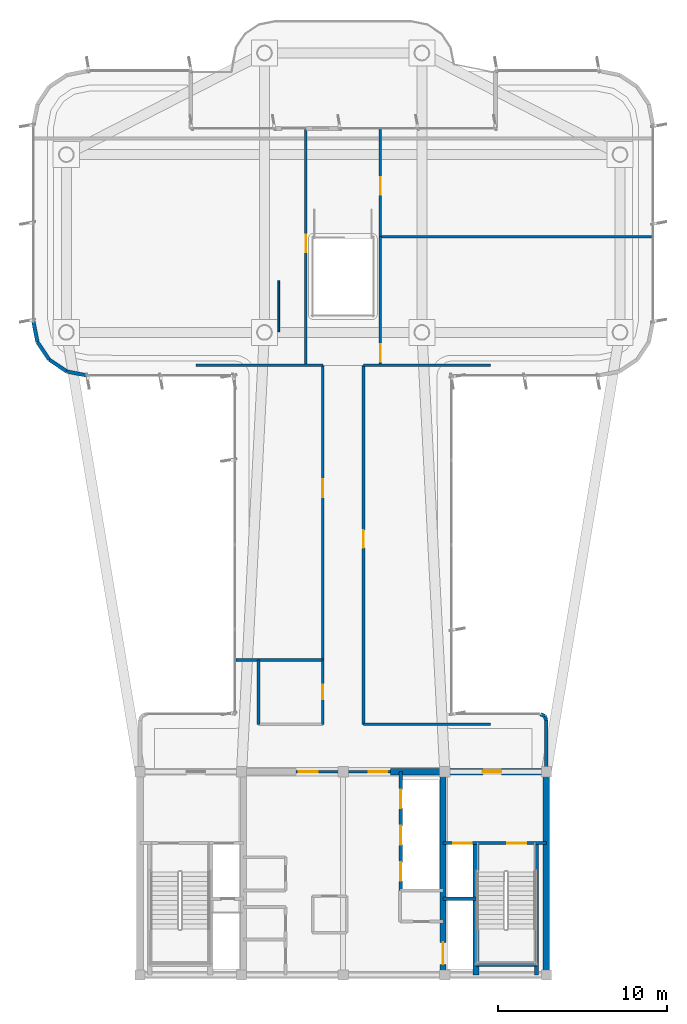
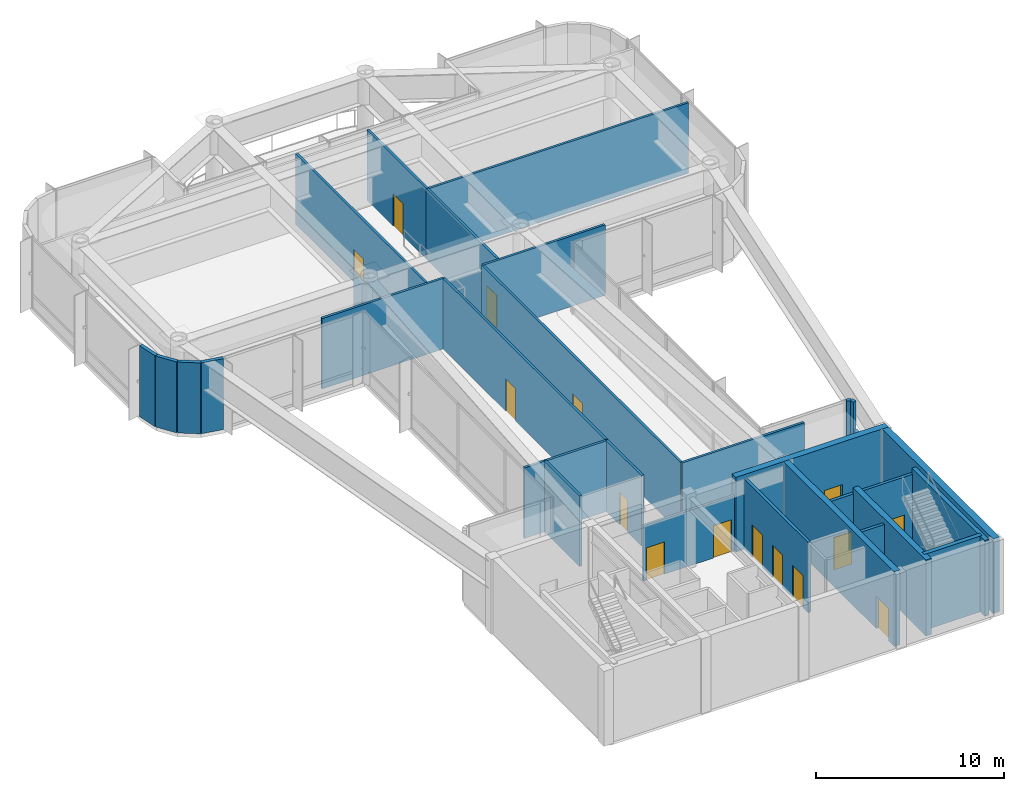
# One storey, part 10 of 13: 30 walls, 15 doors, 15 openings.
"""IFC4 building model written with IfcOpenShell, lengths in metres."""

from ifc_helpers import new_model, si_unit, direction, frame, frame_2d, origin, origin_2d, place, context, subcontext, project, spatial, rectangle, extrude, source, transform, mapped, material, layer, layer_set, type_object, element, fill, save


model = new_model("IFC4")

# Units and contexts
model_context = context("Model", 3, precision=1e-05, world=origin(), true_north=direction((0.0, 1.0)))
body_context = subcontext(model_context, "Body", "Model", "MODEL_VIEW")
ifc_project = project(units=[si_unit("LENGTHUNIT", "METRE"), si_unit("AREAUNIT", "SQUARE_METRE"), si_unit("VOLUMEUNIT", "CUBIC_METRE"), si_unit("PLANEANGLEUNIT", "RADIAN"), si_unit("MASSUNIT", "GRAM", prefix="KILO")], contexts=[model_context])

# Site, building, storey
site_placement = place(None, origin())
site = spatial("IfcSite", under=ifc_project, at=site_placement, CompositionType="ELEMENT")
building_placement = place(site_placement, origin())
building = spatial("IfcBuilding", under=site, at=building_placement, Name="Brelvock Crest Care Tower", CompositionType="ELEMENT")
storey_placement = place(building_placement, frame((0.0, 0.0, 291.06005859375)))
storey = spatial("IfcBuildingStorey", under=building, at=storey_placement, Name="L74", CompositionType="ELEMENT", Elevation=291.06005859375)

# Wall
ifc_material_1 = material(Name="Concrete S65 (65 MPa)", Category="concrete")
ifc_layer_1 = layer(ifc_material_1, 0.39990234375, Name="WL-CS4")
ifc_layer_set_1 = layer_set([ifc_layer_1], Name="Concrete S65 (65 MPa)")
wall_type_1 = type_object("IfcWallType", Name="WL-CS4", PredefinedType="SHEAR", material=ifc_layer_set_1)
wall_1_placement = place(storey_placement, frame((48.0, 18.0, 0.0), z_axis=(0.0, 0.0, 1.0), x_axis=(0.0, -1.0, 0.0)))
element("IfcWall", 1, at=wall_1_placement, inside=storey, type_object=wall_type_1, Name="L74 Core East Shear Wall", PredefinedType="SHEAR", context=body_context, shape_type="SweptSolid", body=[
    extrude(rectangle(XDim=12.0, YDim=0.39990234375, at=frame_2d((6.0, 0.0))), origin(), (0.0, 0.0, 1.0), 4.85986328125),
])

# Wall, opening, door
wall_2_placement = place(storey_placement, frame((38.800048828125, 18.0, 0.0), z_axis=(0.0, 0.0, 1.0), x_axis=(1.0, 0.0, 0.0)))
wall_2 = element("IfcWall", 2, at=wall_2_placement, inside=storey, type_object=wall_type_1, Name="L74 Core North-East Shear Wall", PredefinedType="SHEAR", context=body_context, shape_type="SweptSolid", body=[
    extrude(rectangle(XDim=9.39990234375, YDim=0.39990234375, at=frame_2d((4.699951171875, 0.0))), origin(), (0.0, 0.0, 1.0), 4.85986328125),
])
opening_1_placement = place(wall_2_placement, frame((5.449951171875, 0.0, 0.0)))
opening_1 = element("IfcOpeningElement", 3, at=opening_1_placement, cuts=wall_2, Name="Opening FD-1", PredefinedType="OPENING", context=body_context, shape_type="SweptSolid", body=[
    extrude(rectangle(XDim=1.10009765625, YDim=2.10009765625, at=origin_2d()), frame((0.550048828125, 0.2099609375, 1.050048828125), z_axis=(0.0, -1.0, 0.0), x_axis=(1.0, 0.0, 0.0)), (0.0, 0.0, 1.0), 0.419921875),
])
ifc_material_2 = material(Name="Steel Grade 350", Category="steel")
door_type_1 = type_object("IfcDoorType", Name="DR-FFL1", OperationType="NOTDEFINED", PredefinedType="DOOR", material=ifc_material_2)
shared_shape_1 = source(origin(), body_context, "Body", "SweptSolid", [
    extrude(rectangle(XDim=1.10009765625, YDim=2.10009765625, at=origin_2d()), frame((0.550048828125, 0.02490234375, 1.050048828125), z_axis=(0.0, -1.0, 0.0), x_axis=(1.0, 0.0, 0.0)), (0.0, 0.0, 1.0), 0.050048828125),
])
door_1_placement = place(opening_1_placement, origin())
door_1 = element("IfcDoor", 4, at=door_1_placement, inside=storey, type_object=door_type_1, Name="L74 Firefighting Lobby FFL-2 Exit Door", OperationType="SINGLE_SWING_RIGHT", OverallHeight=2.10009765625, OverallWidth=1.10009765625, PredefinedType="DOOR", context=body_context, shape_type="MappedRepresentation", body=[
    mapped(shared_shape_1, transform((0.0, 0.0, 0.0), x_axis=(1.0, 0.0, 0.0), y_axis=(0.0, 1.0, 0.0), z_axis=(0.0, 0.0, 1.0), scale=1.0)),
])
fill(opening_1, door_1)

ifc_material_3 = material(Name="Concrete S80 (80 MPa)", Category="concrete")
ifc_layer_2 = layer(ifc_material_3, 0.35009765625, Name="WL-CS5")
ifc_layer_set_2 = layer_set([ifc_layer_2], Name="Concrete S80 (80 MPa)")
wall_type_2 = type_object("IfcWallType", Name="WL-CS5", PredefinedType="SHEAR", material=ifc_layer_set_2)
wall_3_placement = place(storey_placement, frame((41.89990234375, 18.0, 0.0), z_axis=(0.0, 0.0, 1.0), x_axis=(0.0, -1.0, 0.0)))
wall_3 = element("IfcWall", 5, at=wall_3_placement, inside=storey, type_object=wall_type_2, Name="L74 Core Internal Web Wall East", PredefinedType="SHEAR", context=body_context, shape_type="SweptSolid", body=[
    extrude(rectangle(XDim=12.0, YDim=0.35009765625, at=frame_2d((6.0, 0.0))), origin(), (0.0, 0.0, 1.0), 4.85986328125),
])
opening_2_placement = place(wall_3_placement, frame((10.080078125, 0.0, 0.0)))
opening_2 = element("IfcOpeningElement", 6, at=opening_2_placement, cuts=wall_3, Name="Opening LD-S", PredefinedType="OPENING", context=body_context, shape_type="SweptSolid", body=[
    extrude(rectangle(XDim=1.300048828125, YDim=2.10009765625, at=origin_2d()), frame((0.64990234375, 0.18505859375, 1.050048828125), z_axis=(0.0, -1.0, 0.0), x_axis=(1.0, 0.0, 0.0)), (0.0, 0.0, 1.0), 0.3701171875),
])
door_type_2 = type_object("IfcDoorType", Name="DR-LDS1", OperationType="NOTDEFINED", PredefinedType="DOOR", material=ifc_material_2)
shared_shape_2 = source(origin(), body_context, "Body", "SweptSolid", [
    extrude(rectangle(XDim=1.300048828125, YDim=2.10009765625, at=origin_2d()), frame((0.64990234375, 0.02490234375, 1.050048828125), z_axis=(0.0, -1.0, 0.0), x_axis=(1.0, 0.0, 0.0)), (0.0, 0.0, 1.0), 0.050048828125),
])
door_2_placement = place(opening_2_placement, origin())
door_2 = element("IfcDoor", 7, at=door_2_placement, inside=storey, type_object=door_type_2, Name="L74 Clinical Bed Lift SL-1 Landing Door", OperationType="SLIDING_TO_LEFT", OverallHeight=2.10009765625, OverallWidth=1.300048828125, PredefinedType="DOOR", context=body_context, shape_type="MappedRepresentation", body=[
    mapped(shared_shape_2, transform((0.0, 0.0, 0.0), x_axis=(1.0, 0.0, 0.0), y_axis=(0.0, 1.0, 0.0), z_axis=(0.0, 0.0, 1.0), scale=1.0)),
])
fill(opening_2, door_2)

# Walls
wall_4_placement = place(storey_placement, frame((43.85009765625, 6.0, 0.0), z_axis=(0.0, 0.0, 1.0), x_axis=(0.0, 1.0, 0.0)))
element("IfcWall", 8, at=wall_4_placement, inside=storey, type_object=wall_type_2, Name="L74 Core Stair ST-2 West Shear Wall", PredefinedType="SHEAR", context=body_context, shape_type="SweptSolid", body=[
    extrude(rectangle(XDim=7.780029296875, YDim=0.35009765625, at=frame_2d((3.89013671875, 0.0))), origin(), (0.0, 0.0, 1.0), 4.929931640625),
])
ifc_layer_3 = layer(ifc_material_3, 0.25, Name="WL-CS6")
ifc_layer_set_3 = layer_set([ifc_layer_3], Name="Concrete S80 (80 MPa)")
wall_type_3 = type_object("IfcWallType", Name="WL-CS6", PredefinedType="SHEAR", material=ifc_layer_set_3)
wall_5_placement = place(storey_placement, frame((47.419921875, 6.0, 0.0), z_axis=(0.0, 0.0, 1.0), x_axis=(0.0, 1.0, 0.0)))
element("IfcWall", 9, at=wall_5_placement, inside=storey, type_object=wall_type_3, Name="L74 Core Stair ST-2 East Shear Wall", PredefinedType="SHEAR", context=body_context, shape_type="SweptSolid", body=[
    extrude(rectangle(XDim=7.780029296875, YDim=0.25, at=frame_2d((3.89013671875, 0.0))), origin(), (0.0, 0.0, 1.0), 4.929931640625),
])
wall_6_placement = place(storey_placement, frame((43.85009765625, 6.6201171875, 0.0), z_axis=(0.0, 0.0, 1.0), x_axis=(1.0, 0.0, 0.0)))
element("IfcWall", 10, at=wall_6_placement, inside=storey, type_object=wall_type_3, Name="L74 Core Stair ST-2 South Shear Wall", PredefinedType="SHEAR", context=body_context, shape_type="SweptSolid", body=[
    extrude(rectangle(XDim=3.56982421875, YDim=0.25, at=frame_2d((1.784912109375, 0.0))), origin(), (0.0, 0.0, 1.0), 4.929931640625),
])
ifc_material_4 = material(Name="Precast concrete N40 (40 MPa)", Category="concrete")
ifc_layer_4 = layer(ifc_material_4, 0.215087890625, Name="WL-EX2")
ifc_layer_set_4 = layer_set([ifc_layer_4], Name="Precast concrete N40 (40 MPa)")
wall_type_4 = type_object("IfcWallType", Name="WL-EX2", PredefinedType="SOLIDWALL", material=ifc_layer_set_4)
wall_7_placement = place(storey_placement, frame((47.64990234375, 21.39990234375, 0.0), z_axis=(0.0, 0.0, 1.0), x_axis=(0.924205486139, -0.381895560841, 0.0)))
element("IfcWall", 11, at=wall_7_placement, inside=storey, type_object=wall_type_4, Name="L74 Rounded Corner Wall 12", PredefinedType="SOLIDWALL", context=body_context, shape_type="SweptSolid", body=[
    extrude(rectangle(XDim=0.267822265625, YDim=0.215087890625, at=frame_2d((0.1337890625, 0.0))), origin(), (0.0, 0.0, 1.0), 4.60986328125),
])
wall_8_placement = place(storey_placement, frame((47.8974609375, 21.297607421875, 0.0), z_axis=(0.0, 0.0, 1.0), x_axis=(0.382673670509, -0.923883575944, 0.0)))
element("IfcWall", 12, at=wall_8_placement, inside=storey, type_object=wall_type_4, Name="L74 Rounded Corner Wall 13", PredefinedType="SOLIDWALL", context=body_context, shape_type="SweptSolid", body=[
    extrude(rectangle(XDim=0.26806640625, YDim=0.215087890625, at=frame_2d((0.134033203125, 0.0))), origin(), (0.0, 0.0, 1.0), 4.60986328125),
])
wall_9_placement = place(storey_placement, frame((48.0, 21.050048828125, 0.0), z_axis=(0.0, 0.0, 1.0), x_axis=(0.0, -1.0, 0.0)))
element("IfcWall", 13, at=wall_9_placement, inside=storey, type_object=wall_type_4, Name="L74 Rounded Corner Wall 14", PredefinedType="SOLIDWALL", context=body_context, shape_type="SweptSolid", body=[
    extrude(rectangle(XDim=2.77001953125, YDim=0.215087890625, at=frame_2d((1.385009765625, 0.0))), origin(), (0.0, 0.0, 1.0), 2.7978515625),
])
for number, where, z_axis, x_axis, name in (
    (14, (20.89990234375, 41.39990234375, 0.0), (0.0, 0.0, 1.0), (-0.980775717779, 0.195138390419, 0.0), "L74 Rounded Corner Wall 26"),
    (15, (19.67529296875, 41.6435546875, 0.0), (0.0, 0.0, 1.0), (-0.831387912822, 0.555692485475, 0.0), "L74 Rounded Corner Wall 27"),
    (16, (18.63720703125, 42.33740234375, 0.0), (0.0, 0.0, 1.0), (-0.555557312883, 0.831478245117, 0.0), "L74 Rounded Corner Wall 28"),
    (17, (17.943603515625, 43.37548828125, 0.0), (0.0, 0.0, 1.0), (-0.195138390419, 0.980775717779, 0.0), "L74 Rounded Corner Wall 29"),
):
    element("IfcWall", number, at=place(storey_placement, frame(where, z_axis=z_axis, x_axis=x_axis)), inside=storey, type_object=wall_type_4, Name=name, PredefinedType="SOLIDWALL", context=body_context, shape_type="SweptSolid", body=[
        extrude(rectangle(XDim=1.24853515625, YDim=0.215087890625, at=frame_2d((0.624267578125, 0.0))), origin(), (0.0, 0.0, 1.0), 4.60986328125),
    ])

# Wall, openings, doors
ifc_material_5 = material(Name="Masonry Blockwork Acoustic Partition", Category="masonry")
ifc_layer_5 = layer(ifc_material_5, 0.14990234375, Name="WL-INT1")
ifc_layer_set_5 = layer_set([ifc_layer_5], Name="Masonry Blockwork Acoustic Partition")
wall_type_5 = type_object("IfcWallType", Name="WL-INT1", PredefinedType="PARTITIONING", material=ifc_layer_set_5)
wall_10_placement = place(storey_placement, frame((33.199951171875, 18.0, 0.0), z_axis=(0.0, 0.0, 1.0), x_axis=(1.0, 0.0, 0.0)))
wall_10 = element("IfcWall", 18, at=wall_10_placement, inside=storey, type_object=wall_type_5, Name="L74 Interior Wall WL-CORE-NPORT-L74", PredefinedType="PARTITIONING", context=body_context, shape_type="SweptSolid", body=[
    extrude(rectangle(XDim=5.60009765625, YDim=0.14990234375, at=frame_2d((2.800048828125, 0.0))), origin(), (0.0, 0.0, 1.0), 3.594970703125),
])
opening_3_placement = place(wall_10_placement, frame((0.18994140625, 0.0, 0.0)))
opening_3 = element("IfcOpeningElement", 19, at=opening_3_placement, cuts=wall_10, Name="Opening FD-1", PredefinedType="OPENING", context=body_context, shape_type="SweptSolid", body=[
    extrude(rectangle(XDim=1.10009765625, YDim=2.10009765625, at=origin_2d()), frame((0.550048828125, 0.0849609375, 1.050048828125), z_axis=(0.0, -1.0, 0.0), x_axis=(1.0, 0.0, 0.0)), (0.0, 0.0, 1.0), 0.169921875),
])
opening_4_placement = place(wall_10_placement, frame((4.31005859375, 0.0, 0.0)))
opening_4 = element("IfcOpeningElement", 20, at=opening_4_placement, cuts=wall_10, Name="Opening FD-1", PredefinedType="OPENING", context=body_context, shape_type="SweptSolid", body=[
    extrude(rectangle(XDim=1.10009765625, YDim=2.10009765625, at=origin_2d()), frame((0.550048828125, 0.0849609375, 1.050048828125), z_axis=(0.0, -1.0, 0.0), x_axis=(1.0, 0.0, 0.0)), (0.0, 0.0, 1.0), 0.169921875),
])
door_3_placement = place(opening_3_placement, origin())
door_3 = element("IfcDoor", 21, at=door_3_placement, inside=storey, type_object=door_type_1, Name="L74 Lift Lobby North Smoke Door West", OperationType="SINGLE_SWING_LEFT", OverallHeight=2.10009765625, OverallWidth=1.10009765625, PredefinedType="DOOR", context=body_context, shape_type="MappedRepresentation", body=[
    mapped(shared_shape_1, transform((0.0, 0.0, 0.0), x_axis=(1.0, 0.0, 0.0), y_axis=(0.0, 1.0, 0.0), z_axis=(0.0, 0.0, 1.0), scale=1.0)),
])
fill(opening_3, door_3)
door_4_placement = place(opening_4_placement, origin())
door_4 = element("IfcDoor", 22, at=door_4_placement, inside=storey, type_object=door_type_1, Name="L74 Lift Lobby North Smoke Door East", OperationType="SINGLE_SWING_RIGHT", OverallHeight=2.10009765625, OverallWidth=1.10009765625, PredefinedType="DOOR", context=body_context, shape_type="MappedRepresentation", body=[
    mapped(shared_shape_1, transform((0.0, 0.0, 0.0), x_axis=(1.0, 0.0, 0.0), y_axis=(0.0, 1.0, 0.0), z_axis=(0.0, 0.0, 1.0), scale=1.0)),
])
fill(opening_4, door_4)

# Walls
for number, where, z_axis, x_axis, name in (
    (23, (37.199951171875, 20.800048828125, 0.0), (0.0, 0.0, 1.0), (1.0, 0.0, 0.0), "L74 Interior Wall WL-BX-L74-VIS-S"),
    (24, (27.300048828125, 42.0, 0.0), (0.0, 0.0, 1.0), (1.0, 0.0, 0.0), "L74 Interior Wall WL-BX-L74-OBG-N"),
    (25, (37.199951171875, 42.0, 0.0), (0.0, 0.0, 1.0), (1.0, 0.0, 0.0), "L74 Interior Wall WL-BX-L74-VIS-N"),
):
    element("IfcWall", number, at=place(storey_placement, frame(where, z_axis=z_axis, x_axis=x_axis)), inside=storey, type_object=wall_type_5, Name=name, PredefinedType="PARTITIONING", context=body_context, shape_type="SweptSolid", body=[
        extrude(rectangle(XDim=7.5, YDim=0.14990234375, at=frame_2d((3.75, 0.0))), origin(), (0.0, 0.0, 1.0), 4.579833984375),
    ])
wall_11_placement = place(storey_placement, frame((38.199951171875, 49.60009765625, 0.0), z_axis=(0.0, 0.0, 1.0), x_axis=(1.0, 0.0, 0.0)))
element("IfcWall", 26, at=wall_11_placement, inside=storey, type_object=wall_type_5, Name="L74 Interior Wall WL-BX-L74-BAR-S", PredefinedType="PARTITIONING", context=body_context, shape_type="SweptSolid", body=[
    extrude(rectangle(XDim=16.02001953125, YDim=0.14990234375, at=frame_2d((8.010009765625, 0.0))), origin(), (0.0, 0.0, 1.0), 4.579833984375),
])

# Wall, opening, door
wall_12_placement = place(storey_placement, frame((33.800048828125, 42.0, 0.0), z_axis=(0.0, 0.0, 1.0), x_axis=(0.0, 1.0, 0.0)))
wall_12 = element("IfcWall", 27, at=wall_12_placement, inside=storey, type_object=wall_type_5, Name="L74 Interior Wall WL-RM-L74-OBW", PredefinedType="PARTITIONING", context=body_context, shape_type="SweptSolid", body=[
    extrude(rectangle(XDim=13.921142578125, YDim=0.14990234375, at=frame_2d((6.96044921875, 0.0))), origin(), (0.0, 0.0, 1.0), 4.579833984375),
])
opening_5_placement = place(wall_12_placement, frame((6.675048828125, 0.0, 0.0)))
opening_5 = element("IfcOpeningElement", 28, at=opening_5_placement, cuts=wall_12, Name="Opening CLD-1", PredefinedType="OPENING", context=body_context, shape_type="SweptSolid", body=[
    extrude(rectangle(XDim=1.050048828125, YDim=2.10009765625, at=origin_2d()), frame((0.52490234375, 0.0849609375, 1.050048828125), z_axis=(0.0, -1.0, 0.0), x_axis=(1.0, 0.0, 0.0)), (0.0, 0.0, 1.0), 0.169921875),
])
ifc_material_6 = material(Name="Engineered Hardwood Timber", Category="wood")
door_type_3 = type_object("IfcDoorType", Name="DR-CLN1", OperationType="NOTDEFINED", PredefinedType="DOOR", material=ifc_material_6)
shared_shape_3 = source(origin(), body_context, "Body", "SweptSolid", [
    extrude(rectangle(XDim=1.050048828125, YDim=2.10009765625, at=origin_2d()), frame((0.52490234375, 0.02490234375, 1.050048828125), z_axis=(0.0, -1.0, 0.0), x_axis=(1.0, 0.0, 0.0)), (0.0, 0.0, 1.0), 0.050048828125),
])
door_5_placement = place(opening_5_placement, origin())
door_5 = element("IfcDoor", 29, at=door_5_placement, inside=storey, type_object=door_type_3, Name="L74 West Panorama Observation Deck Door OBW", OperationType="SINGLE_SWING_LEFT", OverallHeight=2.10009765625, OverallWidth=1.050048828125, PredefinedType="DOOR", context=body_context, shape_type="MappedRepresentation", body=[
    mapped(shared_shape_3, transform((0.0, 0.0, 0.0), x_axis=(1.0, 0.0, 0.0), y_axis=(0.0, 1.0, 0.0), z_axis=(0.0, 0.0, 1.0), scale=1.0)),
])
fill(opening_5, door_5)

wall_13_placement = place(storey_placement, frame((34.800048828125, 24.60009765625, 0.0), z_axis=(0.0, 0.0, 1.0), x_axis=(0.0, 1.0, 0.0)))
wall_13 = element("IfcWall", 30, at=wall_13_placement, inside=storey, type_object=wall_type_5, Name="L74 Interior Wall WL-RM-L74-OBG", PredefinedType="PARTITIONING", context=body_context, shape_type="SweptSolid", body=[
    extrude(rectangle(XDim=17.39990234375, YDim=0.14990234375, at=frame_2d((8.699951171875, 0.0))), origin(), (0.0, 0.0, 1.0), 4.579833984375),
])
opening_6_placement = place(wall_13_placement, frame((9.625, 0.0, 0.0)))
opening_6 = element("IfcOpeningElement", 31, at=opening_6_placement, cuts=wall_13, Name="Opening CLD-1", PredefinedType="OPENING", context=body_context, shape_type="SweptSolid", body=[
    extrude(rectangle(XDim=1.050048828125, YDim=2.10009765625, at=origin_2d()), frame((0.52490234375, 0.0849609375, 1.050048828125), z_axis=(0.0, -1.0, 0.0), x_axis=(1.0, 0.0, 0.0)), (0.0, 0.0, 1.0), 0.169921875),
])
door_6_placement = place(opening_6_placement, origin())
door_6 = element("IfcDoor", 32, at=door_6_placement, inside=storey, type_object=door_type_3, Name="L74 Harbour Observatory Heritage Hall Door OBG", OperationType="SINGLE_SWING_LEFT", OverallHeight=2.10009765625, OverallWidth=1.050048828125, PredefinedType="DOOR", context=body_context, shape_type="MappedRepresentation", body=[
    mapped(shared_shape_3, transform((0.0, 0.0, 0.0), x_axis=(1.0, 0.0, 0.0), y_axis=(0.0, 1.0, 0.0), z_axis=(0.0, 0.0, 1.0), scale=1.0)),
])
fill(opening_6, door_6)

wall_14_placement = place(storey_placement, frame((37.199951171875, 20.800048828125, 0.0), z_axis=(0.0, 0.0, 1.0), x_axis=(0.0, 1.0, 0.0)))
wall_14 = element("IfcWall", 33, at=wall_14_placement, inside=storey, type_object=wall_type_5, Name="L74 Interior Wall WL-RM-L74-VIS", PredefinedType="PARTITIONING", context=body_context, shape_type="SweptSolid", body=[
    extrude(rectangle(XDim=21.199951171875, YDim=0.14990234375, at=frame_2d((10.60009765625, 0.0))), origin(), (0.0, 0.0, 1.0), 4.579833984375),
])
opening_7_placement = place(wall_14_placement, frame((10.425048828125, 0.0, 0.0)))
opening_7 = element("IfcOpeningElement", 34, at=opening_7_placement, cuts=wall_14, Name="Opening CLD-1", PredefinedType="OPENING", context=body_context, shape_type="SweptSolid", body=[
    extrude(rectangle(XDim=1.050048828125, YDim=2.10009765625, at=origin_2d()), frame((0.52490234375, 0.0849609375, 1.050048828125), z_axis=(0.0, -1.0, 0.0), x_axis=(1.0, 0.0, 0.0)), (0.0, 0.0, 1.0), 0.169921875),
])
door_7_placement = place(opening_7_placement, origin())
door_7 = element("IfcDoor", 35, at=door_7_placement, inside=storey, type_object=door_type_3, Name="L74 Observatory Host and Media Suite Door VIS", OperationType="SINGLE_SWING_LEFT", OverallHeight=2.10009765625, OverallWidth=1.050048828125, PredefinedType="DOOR", context=body_context, shape_type="MappedRepresentation", body=[
    mapped(shared_shape_3, transform((0.0, 0.0, 0.0), x_axis=(1.0, 0.0, 0.0), y_axis=(0.0, 1.0, 0.0), z_axis=(0.0, 0.0, 1.0), scale=1.0)),
])
fill(opening_7, door_7)

wall_15_placement = place(storey_placement, frame((38.199951171875, 42.0, 0.0), z_axis=(0.0, 0.0, 1.0), x_axis=(0.0, 1.0, 0.0)))
wall_15 = element("IfcWall", 36, at=wall_15_placement, inside=storey, type_object=wall_type_5, Name="L74 Interior Wall WL-RM-L74-OBE", PredefinedType="PARTITIONING", context=body_context, shape_type="SweptSolid", body=[
    extrude(rectangle(XDim=7.60009765625, YDim=0.14990234375, at=frame_2d((3.800048828125, 0.0))), origin(), (0.0, 0.0, 1.0), 4.579833984375),
])
opening_8_placement = place(wall_15_placement, frame((0.205078125, 0.0, 0.0)))
opening_8 = element("IfcOpeningElement", 37, at=opening_8_placement, cuts=wall_15, Name="Opening CLD-1", PredefinedType="OPENING", context=body_context, shape_type="SweptSolid", body=[
    extrude(rectangle(XDim=1.050048828125, YDim=2.10009765625, at=origin_2d()), frame((0.52490234375, 0.0849609375, 1.050048828125), z_axis=(0.0, -1.0, 0.0), x_axis=(1.0, 0.0, 0.0)), (0.0, 0.0, 1.0), 0.169921875),
])
door_8_placement = place(opening_8_placement, origin())
door_8 = element("IfcDoor", 38, at=door_8_placement, inside=storey, type_object=door_type_3, Name="L74 East Heads Observation Lounge Door OBE", OperationType="SINGLE_SWING_LEFT", OverallHeight=2.10009765625, OverallWidth=1.050048828125, PredefinedType="DOOR", context=body_context, shape_type="MappedRepresentation", body=[
    mapped(shared_shape_3, transform((0.0, 0.0, 0.0), x_axis=(1.0, 0.0, 0.0), y_axis=(0.0, 1.0, 0.0), z_axis=(0.0, 0.0, 1.0), scale=1.0)),
])
fill(opening_8, door_8)

wall_16_placement = place(storey_placement, frame((38.199951171875, 49.60009765625, 0.0), z_axis=(0.0, 0.0, 1.0), x_axis=(0.0, 1.0, 0.0)))
wall_16 = element("IfcWall", 39, at=wall_16_placement, inside=storey, type_object=wall_type_5, Name="L74 Interior Wall WL-RM-L74-BAR", PredefinedType="PARTITIONING", context=body_context, shape_type="SweptSolid", body=[
    extrude(rectangle(XDim=6.32080078125, YDim=0.14990234375, at=frame_2d((3.160400390625, 0.0))), origin(), (0.0, 0.0, 1.0), 4.579833984375),
])
opening_9_placement = place(wall_16_placement, frame((2.47509765625, 0.0, 0.0)))
opening_9 = element("IfcOpeningElement", 40, at=opening_9_placement, cuts=wall_16, Name="Opening CLD-1", PredefinedType="OPENING", context=body_context, shape_type="SweptSolid", body=[
    extrude(rectangle(XDim=1.050048828125, YDim=2.10009765625, at=origin_2d()), frame((0.52490234375, 0.0849609375, 1.050048828125), z_axis=(0.0, -1.0, 0.0), x_axis=(1.0, 0.0, 0.0)), (0.0, 0.0, 1.0), 0.169921875),
])
door_9_placement = place(opening_9_placement, origin())
door_9 = element("IfcDoor", 41, at=door_9_placement, inside=storey, type_object=door_type_3, Name="L74 Lookout Espresso and Tasting Bar Door BAR", OperationType="SINGLE_SWING_LEFT", OverallHeight=2.10009765625, OverallWidth=1.050048828125, PredefinedType="DOOR", context=body_context, shape_type="MappedRepresentation", body=[
    mapped(shared_shape_3, transform((0.0, 0.0, 0.0), x_axis=(1.0, 0.0, 0.0), y_axis=(0.0, 1.0, 0.0), z_axis=(0.0, 0.0, 1.0), scale=1.0)),
])
fill(opening_9, door_9)

# Walls
ifc_material_7 = material(Name="Aluminium 6063-T6", Category="aluminium")
ifc_layer_6 = layer(ifc_material_7, 0.10009765625, Name="WL-MV1")
ifc_layer_set_6 = layer_set([ifc_layer_6], Name="Aluminium 6063-T6")
wall_type_6 = type_object("IfcWallType", Name="WL-MV1", PredefinedType="MOVABLE", material=ifc_layer_set_6)
wall_17_placement = place(storey_placement, frame((32.199951171875, 44.0, 0.0), z_axis=(0.0, 0.0, 1.0), x_axis=(0.0, 1.0, 0.0)))
element("IfcWall", 42, at=wall_17_placement, inside=storey, type_object=wall_type_6, Name="L74 Operable Acoustic Partition", PredefinedType="MOVABLE", context=body_context, shape_type="SweptSolid", body=[
    extrude(rectangle(XDim=3.0, YDim=0.10009765625, at=frame_2d((1.5, 0.0))), origin(), (0.0, 0.0, 1.0), 2.849853515625),
])
ifc_material_8 = material(Name="Gypsum Plasterboard Partition", Category="gypsum")
ifc_layer_7 = layer(ifc_material_8, 0.159912109375, Name="WL-PLM1")
ifc_layer_set_7 = layer_set([ifc_layer_7], Name="Gypsum Plasterboard Partition")
wall_type_7 = type_object("IfcWallType", Name="WL-PLM1", PredefinedType="PLUMBINGWALL", material=ifc_layer_set_7)
wall_18_placement = place(storey_placement, frame((29.6787109375, 24.60009765625, 0.0), z_axis=(0.0, 0.0, 1.0), x_axis=(1.0, 0.0, 0.0)))
element("IfcWall", 43, at=wall_18_placement, inside=storey, type_object=wall_type_7, Name="L74 Interior Wall WL-BX-L74-OBG-S", PredefinedType="PLUMBINGWALL", context=body_context, shape_type="SweptSolid", body=[
    extrude(rectangle(XDim=5.121337890625, YDim=0.159912109375, at=frame_2d((2.560546875, 0.0))), origin(), (0.0, 0.0, 1.0), 4.579833984375),
])
wall_19_placement = place(storey_placement, frame((31.0, 20.800048828125, 0.0), z_axis=(0.0, 0.0, 1.0), x_axis=(0.0, 1.0, 0.0)))
element("IfcWall", 44, at=wall_19_placement, inside=storey, type_object=wall_type_7, Name="L74 Interior Wall WL-BX-L74-AWC-W", PredefinedType="PLUMBINGWALL", context=body_context, shape_type="SweptSolid", body=[
    extrude(rectangle(XDim=3.800048828125, YDim=0.159912109375, at=frame_2d((1.89990234375, 0.0))), origin(), (0.0, 0.0, 1.0), 4.579833984375),
])

# Wall, opening, door
wall_20_placement = place(storey_placement, frame((34.800048828125, 20.800048828125, 0.0), z_axis=(0.0, 0.0, 1.0), x_axis=(0.0, 1.0, 0.0)))
wall_20 = element("IfcWall", 45, at=wall_20_placement, inside=storey, type_object=wall_type_7, Name="L74 Interior Wall WL-RM-L74-AWC", PredefinedType="PLUMBINGWALL", context=body_context, shape_type="SweptSolid", body=[
    extrude(rectangle(XDim=3.800048828125, YDim=0.159912109375, at=frame_2d((1.89990234375, 0.0))), origin(), (0.0, 0.0, 1.0), 4.579833984375),
])
opening_10_placement = place(wall_20_placement, frame((1.469970703125, 0.0, 0.0)))
opening_10 = element("IfcOpeningElement", 46, at=opening_10_placement, cuts=wall_20, Name="Opening WD-1", PredefinedType="OPENING", context=body_context, shape_type="SweptSolid", body=[
    extrude(rectangle(XDim=0.860107421875, YDim=2.10009765625, at=origin_2d()), frame((0.43017578125, 0.08984375, 1.050048828125), z_axis=(0.0, -1.0, 0.0), x_axis=(1.0, 0.0, 0.0)), (0.0, 0.0, 1.0), 0.179931640625),
])
door_type_4 = type_object("IfcDoorType", Name="DR-WC1", OperationType="NOTDEFINED", PredefinedType="DOOR", material=ifc_material_6)
shared_shape_4 = source(origin(), body_context, "Body", "SweptSolid", [
    extrude(rectangle(XDim=0.860107421875, YDim=2.10009765625, at=origin_2d()), frame((0.43017578125, 0.02490234375, 1.050048828125), z_axis=(0.0, -1.0, 0.0), x_axis=(1.0, 0.0, 0.0)), (0.0, 0.0, 1.0), 0.050048828125),
])
door_10_placement = place(opening_10_placement, origin())
door_10 = element("IfcDoor", 47, at=door_10_placement, inside=storey, type_object=door_type_4, Name="L74 Lookout Accessible WC Door AWC", OperationType="SINGLE_SWING_LEFT", OverallHeight=2.10009765625, OverallWidth=0.860107421875, PredefinedType="DOOR", context=body_context, shape_type="MappedRepresentation", body=[
    mapped(shared_shape_4, transform((0.0, 0.0, 0.0), x_axis=(1.0, 0.0, 0.0), y_axis=(0.0, 1.0, 0.0), z_axis=(0.0, 0.0, 1.0), scale=1.0)),
])
fill(opening_10, door_10)

# Wall, openings, doors
ifc_layer_8 = layer(ifc_material_5, 0.179931640625, Name="WL-SHF1")
ifc_layer_set_8 = layer_set([ifc_layer_8], Name="Masonry Blockwork Acoustic Partition")
wall_type_8 = type_object("IfcWallType", Name="WL-SHF1", PredefinedType="PARTITIONING", material=ifc_layer_set_8)
wall_21_placement = place(storey_placement, frame((41.89990234375, 13.780029296875, 0.0), z_axis=(0.0, 0.0, 1.0), x_axis=(1.0, 0.0, 0.0)))
wall_21 = element("IfcWall", 48, at=wall_21_placement, inside=storey, type_object=wall_type_8, Name="L74 Interior Wall WL-ST2-N-L74", PredefinedType="PARTITIONING", context=body_context, shape_type="SweptSolid", body=[
    extrude(rectangle(XDim=6.10009765625, YDim=0.179931640625, at=frame_2d((3.050048828125, 0.0))), origin(), (0.0, 0.0, 1.0), 4.579833984375),
])
opening_11_placement = place(wall_21_placement, frame((0.60009765625, 0.0, 0.0)))
opening_11 = element("IfcOpeningElement", 49, at=opening_11_placement, cuts=wall_21, Name="Opening LD", PredefinedType="OPENING", context=body_context, shape_type="SweptSolid", body=[
    extrude(rectangle(XDim=1.10009765625, YDim=2.10009765625, at=origin_2d()), frame((0.550048828125, 0.10009765625, 1.050048828125), z_axis=(0.0, -1.0, 0.0), x_axis=(1.0, 0.0, 0.0)), (0.0, 0.0, 1.0), 0.199951171875),
])
opening_12_placement = place(wall_21_placement, frame((3.800048828125, 0.0, 0.0)))
opening_12 = element("IfcOpeningElement", 50, at=opening_12_placement, cuts=wall_21, Name="Opening SD-1", PredefinedType="OPENING", context=body_context, shape_type="SweptSolid", body=[
    extrude(rectangle(XDim=1.10009765625, YDim=2.10009765625, at=origin_2d()), frame((0.550048828125, 0.10009765625, 1.050048828125), z_axis=(0.0, -1.0, 0.0), x_axis=(1.0, 0.0, 0.0)), (0.0, 0.0, 1.0), 0.199951171875),
])
door_type_5 = type_object("IfcDoorType", Name="DR-ST1", OperationType="NOTDEFINED", PredefinedType="DOOR", material=ifc_material_2)
shared_shape_5 = source(origin(), body_context, "Body", "SweptSolid", [
    extrude(rectangle(XDim=1.10009765625, YDim=2.10009765625, at=origin_2d()), frame((0.550048828125, 0.02490234375, 1.050048828125), z_axis=(0.0, -1.0, 0.0), x_axis=(1.0, 0.0, 0.0)), (0.0, 0.0, 1.0), 0.050048828125),
])
door_11_placement = place(opening_12_placement, origin())
door_11 = element("IfcDoor", 51, at=door_11_placement, inside=storey, type_object=door_type_5, Name="L74 Fire Stair ST-2 Door", OperationType="SINGLE_SWING_RIGHT", OverallHeight=2.10009765625, OverallWidth=1.10009765625, PredefinedType="DOOR", context=body_context, shape_type="MappedRepresentation", body=[
    mapped(shared_shape_5, transform((0.0, 0.0, 0.0), x_axis=(1.0, 0.0, 0.0), y_axis=(0.0, 1.0, 0.0), z_axis=(0.0, 0.0, 1.0), scale=1.0)),
])
fill(opening_12, door_11)
door_type_6 = type_object("IfcDoorType", Name="DR-LD1", OperationType="NOTDEFINED", PredefinedType="DOOR", material=ifc_material_2)
shared_shape_6 = source(origin(), body_context, "Body", "SweptSolid", [
    extrude(rectangle(XDim=1.10009765625, YDim=2.10009765625, at=origin_2d()), frame((0.550048828125, 0.02490234375, 1.050048828125), z_axis=(0.0, -1.0, 0.0), x_axis=(1.0, 0.0, 0.0)), (0.0, 0.0, 1.0), 0.050048828125),
])
door_12_placement = place(opening_11_placement, origin())
door_12 = element("IfcDoor", 52, at=door_12_placement, inside=storey, type_object=door_type_6, Name="L74 Firefighting Lift FFL-2 Landing Door", OperationType="SLIDING_TO_RIGHT", OverallHeight=2.10009765625, OverallWidth=1.10009765625, PredefinedType="DOOR", context=body_context, shape_type="MappedRepresentation", body=[
    mapped(shared_shape_6, transform((0.0, 0.0, 0.0), x_axis=(1.0, 0.0, 0.0), y_axis=(0.0, 1.0, 0.0), z_axis=(0.0, 0.0, 1.0), scale=1.0)),
])
fill(opening_11, door_12)

# Wall
wall_22_placement = place(storey_placement, frame((41.89990234375, 10.5, 0.0), z_axis=(0.0, 0.0, 1.0), x_axis=(1.0, 0.0, 0.0)))
element("IfcWall", 53, at=wall_22_placement, inside=storey, type_object=wall_type_8, Name="L74 Interior Wall WL-FFH2-S-L74", PredefinedType="PARTITIONING", context=body_context, shape_type="SweptSolid", body=[
    extrude(rectangle(XDim=1.9501953125, YDim=0.179931640625, at=frame_2d((0.97509765625, 0.0))), origin(), (0.0, 0.0, 1.0), 4.579833984375),
])

# Wall, openings, doors
wall_23_placement = place(storey_placement, frame((39.39990234375, 11.0, 0.0), z_axis=(0.0, 0.0, 1.0), x_axis=(0.0, 1.0, 0.0)))
wall_23 = element("IfcWall", 54, at=wall_23_placement, inside=storey, type_object=wall_type_8, Name="L74 Interior Wall WL-PLH-BANK-L74", PredefinedType="PARTITIONING", context=body_context, shape_type="SweptSolid", body=[
    extrude(rectangle(XDim=7.0, YDim=0.179931640625, at=frame_2d((3.5, 0.0))), origin(), (0.0, 0.0, 1.0), 4.579833984375),
])
opening_13_placement = place(wall_23_placement, frame((0.550048828125, 0.0, 0.0)))
opening_13 = element("IfcOpeningElement", 55, at=opening_13_placement, cuts=wall_23, Name="Opening LD", PredefinedType="OPENING", context=body_context, shape_type="SweptSolid", body=[
    extrude(rectangle(XDim=1.10009765625, YDim=2.10009765625, at=origin_2d()), frame((0.550048828125, 0.10009765625, 1.050048828125), z_axis=(0.0, -1.0, 0.0), x_axis=(1.0, 0.0, 0.0)), (0.0, 0.0, 1.0), 0.199951171875),
])
opening_14_placement = place(wall_23_placement, frame((2.699951171875, 0.0, 0.0)))
opening_14 = element("IfcOpeningElement", 56, at=opening_14_placement, cuts=wall_23, Name="Opening LD", PredefinedType="OPENING", context=body_context, shape_type="SweptSolid", body=[
    extrude(rectangle(XDim=1.10009765625, YDim=2.10009765625, at=origin_2d()), frame((0.550048828125, 0.10009765625, 1.050048828125), z_axis=(0.0, -1.0, 0.0), x_axis=(1.0, 0.0, 0.0)), (0.0, 0.0, 1.0), 0.199951171875),
])
opening_15_placement = place(wall_23_placement, frame((4.85009765625, 0.0, 0.0)))
opening_15 = element("IfcOpeningElement", 57, at=opening_15_placement, cuts=wall_23, Name="Opening LD", PredefinedType="OPENING", context=body_context, shape_type="SweptSolid", body=[
    extrude(rectangle(XDim=1.10009765625, YDim=2.10009765625, at=origin_2d()), frame((0.550048828125, 0.10009765625, 1.050048828125), z_axis=(0.0, -1.0, 0.0), x_axis=(1.0, 0.0, 0.0)), (0.0, 0.0, 1.0), 0.199951171875),
])
door_13_placement = place(opening_13_placement, origin())
door_13 = element("IfcDoor", 58, at=door_13_placement, inside=storey, type_object=door_type_6, Name="L74 Lift PL-H1 Landing Door", OperationType="SLIDING_TO_RIGHT", OverallHeight=2.10009765625, OverallWidth=1.10009765625, PredefinedType="DOOR", context=body_context, shape_type="MappedRepresentation", body=[
    mapped(shared_shape_6, transform((0.0, 0.0, 0.0), x_axis=(1.0, 0.0, 0.0), y_axis=(0.0, 1.0, 0.0), z_axis=(0.0, 0.0, 1.0), scale=1.0)),
])
fill(opening_13, door_13)
door_14_placement = place(opening_14_placement, origin())
door_14 = element("IfcDoor", 59, at=door_14_placement, inside=storey, type_object=door_type_6, Name="L74 Lift PL-H2 Landing Door", OperationType="SLIDING_TO_RIGHT", OverallHeight=2.10009765625, OverallWidth=1.10009765625, PredefinedType="DOOR", context=body_context, shape_type="MappedRepresentation", body=[
    mapped(shared_shape_6, transform((0.0, 0.0, 0.0), x_axis=(1.0, 0.0, 0.0), y_axis=(0.0, 1.0, 0.0), z_axis=(0.0, 0.0, 1.0), scale=1.0)),
])
fill(opening_14, door_14)
door_15_placement = place(opening_15_placement, origin())
door_15 = element("IfcDoor", 60, at=door_15_placement, inside=storey, type_object=door_type_6, Name="L74 Lift PL-H3 Landing Door", OperationType="SLIDING_TO_RIGHT", OverallHeight=2.10009765625, OverallWidth=1.10009765625, PredefinedType="DOOR", context=body_context, shape_type="MappedRepresentation", body=[
    mapped(shared_shape_6, transform((0.0, 0.0, 0.0), x_axis=(1.0, 0.0, 0.0), y_axis=(0.0, 1.0, 0.0), z_axis=(0.0, 0.0, 1.0), scale=1.0)),
])
fill(opening_15, door_15)

save(model, "model.ifc")
